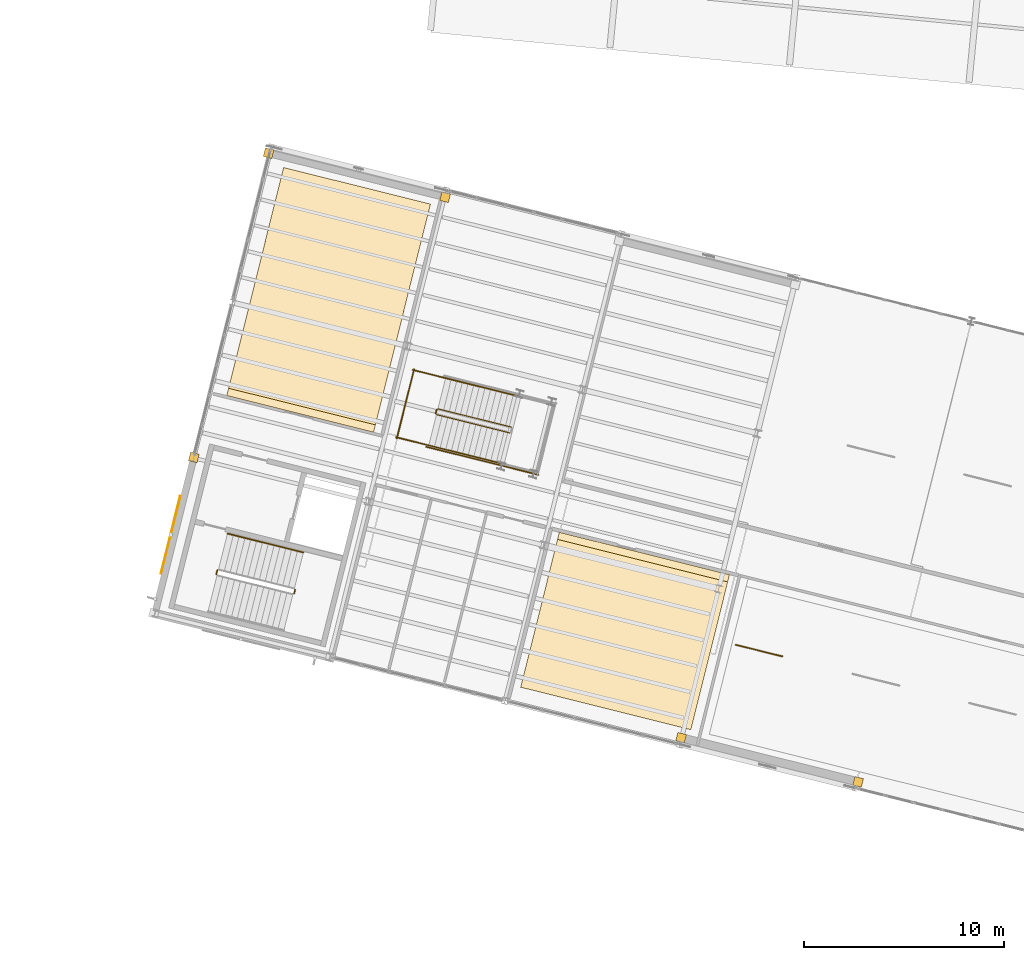
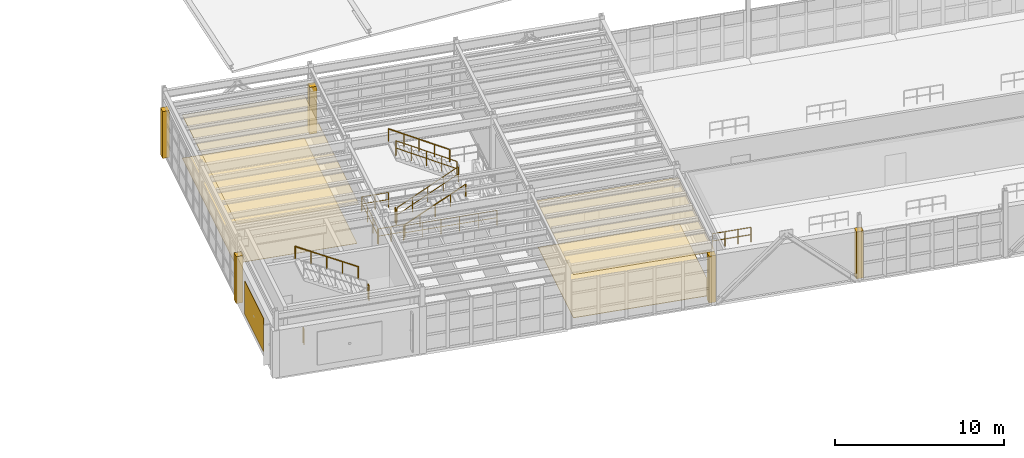
# One storey, part 55 of 59: 13 railings, 10 coverings.
"""IFC4 building model written with IfcOpenShell, lengths in metres."""

from ifc_helpers import new_model, si_unit, direction, frame, origin, origin_2d, place, context, subcontext, project, spatial, polyline, rectangle, circle, outline, extrude, material, layer, layer_set, type_object, element, save


model = new_model("IFC4")

# Units and contexts
model_context = context("Model", 3, precision=1e-05, world=origin(), true_north=direction((0.0, 1.0)))
body_context = subcontext(model_context, "Body", "Model", "MODEL_VIEW")
ifc_project = project(units=[si_unit("LENGTHUNIT", "METRE"), si_unit("AREAUNIT", "SQUARE_METRE"), si_unit("VOLUMEUNIT", "CUBIC_METRE"), si_unit("PLANEANGLEUNIT", "RADIAN"), si_unit("MASSUNIT", "GRAM", prefix="KILO")], contexts=[model_context])

# Site, building, storey
site_placement = place(None, origin())
site = spatial("IfcSite", under=ifc_project, at=site_placement, CompositionType="ELEMENT")
building_placement = place(site_placement, origin())
building = spatial("IfcBuilding", under=site, at=building_placement, Name="Vireo Bluff Cable Station", CompositionType="ELEMENT")
storey_placement = place(building_placement, frame((0.0, 0.0, 14.39990234375)))
storey = spatial("IfcBuildingStorey", under=building, at=storey_placement, Name="L03", CompositionType="ELEMENT", Elevation=14.39990234375)

# Railing
ifc_material_1 = material(Name="Laminated Low-E Insulated Glass", Category="glass")
railing_type_1 = type_object("IfcRailingType", Name="BALUSTRADE-1100", PredefinedType="BALUSTRADE", material=ifc_material_1)
railing_1_placement = place(storey_placement, frame((82.98388671875, 36.44189453125, 0.0)))
element("IfcRailing", 1, at=railing_1_placement, inside=storey, type_object=railing_type_1, Name="Boarding Hall platform queuing balustrade 1", PredefinedType="BALUSTRADE", context=body_context, shape_type="SweptSolid", body=[
    extrude(circle(Radius=0.02392578125, at=origin_2d()), frame((0.0, 0.0, 1.076171875), z_axis=(0.970303839674, -0.241889352212, 0.0), x_axis=(0.241889352212, 0.970303839674, 0.0)), (0.0, 0.0, 1.0), 2.400146484375),
    extrude(circle(Radius=0.02392578125, at=origin_2d()), frame((0.0, 0.0, 0.550048828125), z_axis=(0.970303839674, -0.241889352212, 0.0), x_axis=(0.241889352212, 0.970303839674, 0.0)), (0.0, 0.0, 1.0), 2.400146484375),
    extrude(circle(Radius=0.02099609375, at=origin_2d()), origin(), (0.0, 0.0, 1.0), 1.052001953125),
    extrude(circle(Radius=0.02099609375, at=origin_2d()), frame((0.7763671875, -0.193603515625, 0.0)), (0.0, 0.0, 1.0), 1.052001953125),
    extrude(circle(Radius=0.02099609375, at=origin_2d()), frame((1.552490234375, -0.386962890625, 0.0)), (0.0, 0.0, 1.0), 1.052001953125),
    extrude(circle(Radius=0.02099609375, at=origin_2d()), frame((2.328857421875, -0.58056640625, 0.0)), (0.0, 0.0, 1.0), 1.052001953125),
])

# Coverings
ifc_material_2 = material(Name="Perforated Acoustic Metal Ceiling")
ifc_layer_1 = layer(ifc_material_2, 0.02490234375, Name="Perforated Acoustic Metal Ceiling")
ifc_layer_set_1 = layer_set([ifc_layer_1], Name="Perforated Acoustic Metal Ceiling")
covering_type_1 = type_object("IfcCoveringType", Name="CEILING-ACOUSTIC-25", PredefinedType="CEILING", material=ifc_layer_set_1)
covering_1_placement = place(storey_placement, frame((0.0, 0.0, 3.1201171875)))
element("IfcCovering", 2, at=covering_1_placement, inside=storey, type_object=covering_type_1, Name="V1 L03 Passenger Waiting Lounge acoustic ceiling", PredefinedType="CEILING", context=body_context, shape_type="SweptSolid", body=[
    extrude(outline(polyline([(57.58740234375, 48.875244140625), (64.913330078125, 47.048583984375), (67.7509765625, 58.43017578125), (60.42529296875, 60.256591796875), (57.58740234375, 48.875244140625)])), origin(), (0.0, 0.0, 1.0), 0.02490234375),
])
ifc_layer_2 = layer(ifc_material_2, 0.034912109375, Name="Perforated Acoustic Metal Ceiling")
ifc_layer_set_2 = layer_set([ifc_layer_2], Name="Perforated Acoustic Metal Ceiling")
covering_type_2 = type_object("IfcCoveringType", Name="CEILING-ACOUSTIC-35", PredefinedType="CEILING", material=ifc_layer_set_2)
covering_2_placement = place(storey_placement, frame((0.0, 0.0, 3.1201171875)))
element("IfcCovering", 3, at=covering_2_placement, inside=storey, type_object=covering_type_2, Name="V1 L03 Platform Safety and Control Office acoustic ceiling", PredefinedType="CEILING", context=body_context, shape_type="SweptSolid", body=[
    extrude(outline(polyline([(72.253173828125, 34.324951171875), (80.7431640625, 32.208251953125), (82.670654296875, 39.93896484375), (74.1806640625, 42.055908203125), (72.253173828125, 34.324951171875)])), origin(), (0.0, 0.0, 1.0), 0.034912109375),
])
ifc_material_3 = material(Name="Standing-Seam Titanium-Zinc Cladding")
ifc_layer_3 = layer(ifc_material_3, 0.0400390625, Name="Standing-Seam Titanium-Zinc Cladding")
ifc_layer_set_3 = layer_set([ifc_layer_3], Name="Standing-Seam Titanium-Zinc Cladding")
covering_type_3 = type_object("IfcCoveringType", Name="CLADDING-ZINC-40", PredefinedType="CLADDING", material=ifc_layer_set_3)
covering_3_placement = place(storey_placement, frame((54.788330078125, 41.927001953125, 0.4501953125), z_axis=(0.0, 0.0, 1.0), x_axis=(0.241921816345, 0.970295746037, 0.0)))
element("IfcCovering", 4, at=covering_3_placement, inside=storey, type_object=covering_type_3, Name="V1 L03 ribbed zinc cladding panel 8", PredefinedType="CLADDING", context=body_context, shape_type="SweptSolid", body=[
    extrude(rectangle(XDim=4.0, YDim=0.0400390625, at=origin_2d()), origin(), (0.0, 0.0, 1.0), 2.39990234375),
])
ifc_material_4 = material(Name="Precast concrete f'c 45 MPa", Category="concrete")
ifc_layer_4 = layer(ifc_material_4, 0.0400390625, Name="Precast concrete f'c 45 MPa")
ifc_layer_set_4 = layer_set([ifc_layer_4], Name="Precast concrete f'c 45 MPa")
covering_type_4 = type_object("IfcCoveringType", Name="COL-CLOSURE-WRAP", PredefinedType="CLADDING", material=ifc_layer_set_4)
for number, where, z_axis, x_axis, name in (
    (5, (89.086669921875, 29.602294921875, 0.000244140625), (0.0, 0.0, 1.0), (0.970295726276, -0.2419218956, 0.0), "V1 L03 column pocket closure"),
    (6, (80.256591796875, 31.803955078125, 0.000244140625), (0.0, 0.0, 1.0), (0.970295726276, -0.2419218956, 0.0), "V1 L03 column pocket closure"),
    (7, (55.94140625, 45.78662109375, 0.000244140625), (0.0, 0.0, 1.0), (0.970295726276, -0.2419218956, 0.0), "V1 L03 column pocket closure"),
    (8, (59.6748046875, 60.969482421875, 0.000244140625), (0.0, 0.0, 1.0), (0.970295726276, -0.2419218956, 0.0), "V1 L03 column pocket closure"),
    (9, (68.481201171875, 58.773681640625, 0.000244140625), (0.0, 0.0, 1.0), (0.970295726276, -0.2419218956, 0.0), "V1 L03 column pocket closure"),
):
    element("IfcCovering", number, at=place(storey_placement, frame(where, z_axis=z_axis, x_axis=x_axis)), inside=storey, type_object=covering_type_4, Name=name, PredefinedType="CLADDING", context=body_context, shape_type="SweptSolid", body=[
        extrude(rectangle(XDim=0.43994140625, YDim=0.43994140625, at=origin_2d()), origin(), (0.0, 0.0, 1.0), 3.39990234375),
    ])
ifc_material_5 = material(Name="Polished Terrazzo Flooring")
ifc_layer_5 = layer(ifc_material_5, 0.02001953125, Name="Polished Terrazzo Flooring")
ifc_layer_set_5 = layer_set([ifc_layer_5], Name="Polished Terrazzo Flooring")
covering_type_5 = type_object("IfcCoveringType", Name="FLOORING-TERRAZZO-20", PredefinedType="FLOORING", material=ifc_layer_set_5)
covering_4_placement = place(storey_placement, origin())
element("IfcCovering", 10, at=covering_4_placement, inside=storey, type_object=covering_type_5, Name="V1 L03 Passenger Waiting Lounge terrazzo finish", PredefinedType="FLOORING", context=body_context, shape_type="SweptSolid", body=[
    extrude(outline(polyline([(57.679443359375, 49.243896484375), (65.005126953125, 47.417236328125), (67.7509765625, 58.43017578125), (60.42529296875, 60.256591796875), (57.679443359375, 49.243896484375)])), origin(), (0.0, 0.0, 1.0), 0.02001953125),
])
ifc_layer_6 = layer(ifc_material_5, 0.030029296875, Name="Polished Terrazzo Flooring")
ifc_layer_set_6 = layer_set([ifc_layer_6], Name="Polished Terrazzo Flooring")
covering_type_6 = type_object("IfcCoveringType", Name="FLOORING-TERRAZZO-30", PredefinedType="FLOORING", material=ifc_layer_set_6)
covering_5_placement = place(storey_placement, origin())
element("IfcCovering", 11, at=covering_5_placement, inside=storey, type_object=covering_type_6, Name="V1 L03 Platform Safety and Control Office terrazzo finish", PredefinedType="FLOORING", context=body_context, shape_type="SweptSolid", body=[
    extrude(outline(polyline([(72.253173828125, 34.324951171875), (80.7431640625, 32.208251953125), (82.581787109375, 39.58251953125), (74.091796875, 41.69921875), (72.253173828125, 34.324951171875)])), origin(), (0.0, 0.0, 1.0), 0.030029296875),
])

# Railings
ifc_material_6 = material(Name="Stainless Steel 316", Category="steel")
railing_type_2 = type_object("IfcRailingType", Name="STAIR-GUARD-1100", PredefinedType="GUARDRAIL", material=ifc_material_6)
for number, where, name in (
    (12, (60.947998046875, 38.998779296875, 2.400146484375), "L03 ST-02 stair guard 2"),
    (13, (57.06689453125, 39.966552734375, 0.0), "L03 ST-02 stair guard 4"),
):
    element("IfcRailing", number, at=place(storey_placement, frame(where)), inside=storey, type_object=railing_type_2, Name=name, PredefinedType="GUARDRAIL", context=body_context, shape_type="SweptSolid", body=[
        extrude(circle(Radius=0.02392578125, at=origin_2d()), frame((0.0, 0.0, 1.076171875), z_axis=(0.241673946692, 0.970357513234, 0.0), x_axis=(-0.970357513234, 0.241673946692, 0.0)), (0.0, 0.0, 1.0), 0.199951171875),
        extrude(circle(Radius=0.02392578125, at=origin_2d()), frame((0.0, 0.0, 0.550048828125), z_axis=(0.241673946692, 0.970357513234, 0.0), x_axis=(-0.970357513234, 0.241673946692, 0.0)), (0.0, 0.0, 1.0), 0.199951171875),
        extrude(circle(Radius=0.02099609375, at=origin_2d()), origin(), (0.0, 0.0, 1.0), 1.052001953125),
        extrude(circle(Radius=0.02099609375, at=origin_2d()), frame((0.04833984375, 0.194091796875, 0.0)), (0.0, 0.0, 1.0), 1.052001953125),
    ])
railing_2_placement = place(storey_placement, frame((68.048583984375, 47.92626953125, 0.171630859375)))
element("IfcRailing", 14, at=railing_2_placement, inside=storey, type_object=railing_type_2, Name="L03 ST-10 stair guard 1", PredefinedType="GUARDRAIL", context=body_context, shape_type="SweptSolid", body=[
    extrude(circle(Radius=0.02392578125, at=origin_2d()), frame((0.0, 0.0, 1.076171875), z_axis=(0.835287278934, -0.208264366931, 0.50884291792), x_axis=(0.241926114739, 0.970294674317, 0.0)), (0.0, 0.0, 1.0), 4.379638671875),
    extrude(circle(Radius=0.02392578125, at=origin_2d()), frame((0.0, 0.0, 0.550048828125), z_axis=(0.835287278934, -0.208264366931, 0.50884291792), x_axis=(0.241926114739, 0.970294674317, 0.0)), (0.0, 0.0, 1.0), 4.379638671875),
    extrude(circle(Radius=0.02099609375, at=origin_2d()), origin(), (0.0, 0.0, 1.0), 1.052001953125),
    extrude(circle(Radius=0.02099609375, at=origin_2d()), frame((0.91455078125, -0.22802734375, 0.55712890625)), (0.0, 0.0, 1.0), 1.052001953125),
    extrude(circle(Radius=0.02099609375, at=origin_2d()), frame((1.8291015625, -0.4560546875, 1.1142578125)), (0.0, 0.0, 1.0), 1.052001953125),
    extrude(circle(Radius=0.02099609375, at=origin_2d()), frame((2.74365234375, -0.68408203125, 1.67138671875)), (0.0, 0.0, 1.0), 1.052001953125),
    extrude(circle(Radius=0.02099609375, at=origin_2d()), frame((3.658203125, -0.912109375, 2.228515625)), (0.0, 0.0, 1.0), 1.052001953125),
])
railing_3_placement = place(storey_placement, frame((71.779296875, 47.30517578125, 2.571533203125)))
element("IfcRailing", 15, at=railing_3_placement, inside=storey, type_object=railing_type_2, Name="L03 ST-10 stair guard 6", PredefinedType="GUARDRAIL", context=body_context, shape_type="SweptSolid", body=[
    extrude(circle(Radius=0.02392578125, at=origin_2d()), frame((0.0, 0.0, 1.076171875), z_axis=(-0.835270426229, 0.208274064766, 0.508866612202), x_axis=(-0.241941316319, -0.97029088394, 0.0)), (0.0, 0.0, 1.0), 4.37939453125),
    extrude(circle(Radius=0.02392578125, at=origin_2d()), frame((0.0, 0.0, 0.550048828125), z_axis=(-0.835270426229, 0.208274064766, 0.508866612202), x_axis=(-0.241941316319, -0.97029088394, 0.0)), (0.0, 0.0, 1.0), 4.37939453125),
    extrude(circle(Radius=0.02099609375, at=origin_2d()), origin(), (0.0, 0.0, 1.0), 1.052001953125),
    extrude(circle(Radius=0.02099609375, at=origin_2d()), frame((-0.91455078125, 0.22802734375, 0.55712890625)), (0.0, 0.0, 1.0), 1.052001953125),
    extrude(circle(Radius=0.02099609375, at=origin_2d()), frame((-1.8291015625, 0.4560546875, 1.1142578125)), (0.0, 0.0, 1.0), 1.052001953125),
    extrude(circle(Radius=0.02099609375, at=origin_2d()), frame((-2.743408203125, 0.68408203125, 1.67138671875)), (0.0, 0.0, 1.0), 1.052001953125),
    extrude(circle(Radius=0.02099609375, at=origin_2d()), frame((-3.657958984375, 0.912109375, 2.228515625)), (0.0, 0.0, 1.0), 1.052001953125),
])
railing_4_placement = place(storey_placement, frame((68.01220703125, 47.98681640625, 0.0)))
element("IfcRailing", 16, at=railing_4_placement, inside=storey, type_object=railing_type_2, Name="L03 ST-10 stair guard 7", PredefinedType="GUARDRAIL", context=body_context, shape_type="SweptSolid", body=[
    extrude(circle(Radius=0.02392578125, at=origin_2d()), frame((0.0, 0.0, 1.076171875), z_axis=(0.241673946692, 0.970357513234, 0.0), x_axis=(-0.970357513234, 0.241673946692, 0.0)), (0.0, 0.0, 1.0), 0.199951171875),
    extrude(circle(Radius=0.02392578125, at=origin_2d()), frame((0.0, 0.0, 0.550048828125), z_axis=(0.241673946692, 0.970357513234, 0.0), x_axis=(-0.970357513234, 0.241673946692, 0.0)), (0.0, 0.0, 1.0), 0.199951171875),
    extrude(circle(Radius=0.02099609375, at=origin_2d()), origin(), (0.0, 0.0, 1.0), 1.052001953125),
    extrude(circle(Radius=0.02099609375, at=origin_2d()), frame((0.04833984375, 0.194091796875, 0.0)), (0.0, 0.0, 1.0), 1.052001953125),
])
for number, where, name in (
    (17, (66.036376953125, 46.799560546875, 0.0), "L03 ST-10 stair guard 8"),
    (18, (66.873291015625, 50.15673828125, 0.0), "L03 ST-10 stair guard 9"),
):
    element("IfcRailing", number, at=place(storey_placement, frame(where)), inside=storey, type_object=railing_type_2, Name=name, PredefinedType="GUARDRAIL", context=body_context, shape_type="SweptSolid", body=[
        extrude(circle(Radius=0.02392578125, at=origin_2d()), frame((0.0, 0.0, 1.076171875), z_axis=(0.970287643911, -0.241954309887, 0.0), x_axis=(0.241954309887, 0.970287643911, 0.0)), (0.0, 0.0, 1.0), 1.679931640625),
        extrude(circle(Radius=0.02392578125, at=origin_2d()), frame((0.0, 0.0, 0.550048828125), z_axis=(0.970287643911, -0.241954309887, 0.0), x_axis=(0.241954309887, 0.970287643911, 0.0)), (0.0, 0.0, 1.0), 1.679931640625),
        extrude(circle(Radius=0.02099609375, at=origin_2d()), origin(), (0.0, 0.0, 1.0), 1.052001953125),
        extrude(circle(Radius=0.02099609375, at=origin_2d()), frame((0.81494140625, -0.203125, 0.0)), (0.0, 0.0, 1.0), 1.052001953125),
        extrude(circle(Radius=0.02099609375, at=origin_2d()), frame((1.630126953125, -0.406494140625, 0.0)), (0.0, 0.0, 1.0), 1.052001953125),
    ])
railing_5_placement = place(storey_placement, frame((66.07275390625, 46.739013671875, 0.0)))
element("IfcRailing", 19, at=railing_5_placement, inside=storey, type_object=railing_type_2, Name="L03 ST-10 stair guard 10", PredefinedType="GUARDRAIL", context=body_context, shape_type="SweptSolid", body=[
    extrude(circle(Radius=0.02392578125, at=origin_2d()), frame((0.0, 0.0, 1.076171875), z_axis=(0.241954658005, 0.970287557103, 0.0), x_axis=(-0.970287557103, 0.241954658005, 0.0)), (0.0, 0.0, 1.0), 3.559814453125),
    extrude(circle(Radius=0.02392578125, at=origin_2d()), frame((0.0, 0.0, 0.550048828125), z_axis=(0.241954658005, 0.970287557103, 0.0), x_axis=(-0.970287557103, 0.241954658005, 0.0)), (0.0, 0.0, 1.0), 3.559814453125),
    extrude(circle(Radius=0.02099609375, at=origin_2d()), origin(), (0.0, 0.0, 1.0), 1.052001953125),
    extrude(circle(Radius=0.02099609375, at=origin_2d()), frame((0.287109375, 1.1513671875, 0.0)), (0.0, 0.0, 1.0), 1.052001953125),
    extrude(circle(Radius=0.02099609375, at=origin_2d()), frame((0.57421875, 2.302734375, 0.0)), (0.0, 0.0, 1.0), 1.052001953125),
    extrude(circle(Radius=0.02099609375, at=origin_2d()), frame((0.861328125, 3.4541015625, 0.0)), (0.0, 0.0, 1.0), 1.052001953125),
])
railing_6_placement = place(storey_placement, frame((67.545166015625, 46.3203125, 0.0)))
element("IfcRailing", 20, at=railing_6_placement, inside=storey, type_object=railing_type_2, Name="L03 ST-10 stair guard 11", PredefinedType="GUARDRAIL", context=body_context, shape_type="SweptSolid", body=[
    extrude(circle(Radius=0.02392578125, at=origin_2d()), frame((0.0, 0.0, 1.076171875), z_axis=(0.970291651619, -0.24193823757, 0.0), x_axis=(0.24193823757, 0.970291651619, 0.0)), (0.0, 0.0, 1.0), 5.77001953125),
    extrude(circle(Radius=0.02392578125, at=origin_2d()), frame((0.0, 0.0, 0.550048828125), z_axis=(0.970291651619, -0.24193823757, 0.0), x_axis=(0.24193823757, 0.970291651619, 0.0)), (0.0, 0.0, 1.0), 5.77001953125),
    extrude(circle(Radius=0.02099609375, at=origin_2d()), origin(), (0.0, 0.0, 1.0), 1.052001953125),
    extrude(circle(Radius=0.02099609375, at=origin_2d()), frame((1.11962890625, -0.279296875, 0.0)), (0.0, 0.0, 1.0), 1.052001953125),
    extrude(circle(Radius=0.02099609375, at=origin_2d()), frame((2.239501953125, -0.558349609375, 0.0)), (0.0, 0.0, 1.0), 1.052001953125),
    extrude(circle(Radius=0.02099609375, at=origin_2d()), frame((3.359130859375, -0.837646484375, 0.0)), (0.0, 0.0, 1.0), 1.052001953125),
    extrude(circle(Radius=0.02099609375, at=origin_2d()), frame((4.47900390625, -1.11669921875, 0.0)), (0.0, 0.0, 1.0), 1.052001953125),
    extrude(circle(Radius=0.02099609375, at=origin_2d()), frame((5.5986328125, -1.39599609375, 0.0)), (0.0, 0.0, 1.0), 1.052001953125),
])
railing_type_3 = type_object("IfcRailingType", Name="STAIR-HANDRAIL-900", PredefinedType="HANDRAIL", material=ifc_material_6)
railing_7_placement = place(storey_placement, frame((61.407470703125, 41.048583984375, 2.571533203125)))
element("IfcRailing", 21, at=railing_7_placement, inside=storey, type_object=railing_type_3, Name="L03 ST-02 stair handrail 2", PredefinedType="HANDRAIL", context=body_context, shape_type="SweptSolid", body=[
    extrude(circle(Radius=0.02392578125, at=origin_2d()), frame((0.0, 0.0, 0.8759765625), z_axis=(-0.842464863979, 0.210018337704, 0.496130276026), x_axis=(-0.241887473922, -0.970304307916, 0.0)), (0.0, 0.0, 1.0), 4.49169921875),
    extrude(circle(Radius=0.02099609375, at=origin_2d()), origin(), (0.0, 0.0, 1.0), 0.851806640625),
    extrude(circle(Radius=0.02099609375, at=origin_2d()), frame((-0.946044921875, 0.23583984375, 0.55712890625)), (0.0, 0.0, 1.0), 0.851806640625),
    extrude(circle(Radius=0.02099609375, at=origin_2d()), frame((-1.89208984375, 0.4716796875, 1.1142578125)), (0.0, 0.0, 1.0), 0.851806640625),
    extrude(circle(Radius=0.02099609375, at=origin_2d()), frame((-2.838134765625, 0.70751953125, 1.67138671875)), (0.0, 0.0, 1.0), 0.851806640625),
    extrude(circle(Radius=0.02099609375, at=origin_2d()), frame((-3.7841796875, 0.943359375, 2.228515625)), (0.0, 0.0, 1.0), 0.851806640625),
])
railing_8_placement = place(storey_placement, frame((67.66650390625, 46.39306640625, 0.171630859375)))
element("IfcRailing", 22, at=railing_8_placement, inside=storey, type_object=railing_type_3, Name="L03 ST-10 stair handrail 1", PredefinedType="HANDRAIL", context=body_context, shape_type="SweptSolid", body=[
    extrude(circle(Radius=0.02392578125, at=origin_2d()), frame((0.0, 0.0, 0.8759765625), z_axis=(0.835270426229, -0.208274064766, 0.508866612202), x_axis=(0.241941316319, 0.97029088394, 0.0)), (0.0, 0.0, 1.0), 4.37939453125),
    extrude(circle(Radius=0.02099609375, at=origin_2d()), origin(), (0.0, 0.0, 1.0), 0.851806640625),
    extrude(circle(Radius=0.02099609375, at=origin_2d()), frame((0.91455078125, -0.22802734375, 0.55712890625)), (0.0, 0.0, 1.0), 0.851806640625),
    extrude(circle(Radius=0.02099609375, at=origin_2d()), frame((1.8291015625, -0.4560546875, 1.1142578125)), (0.0, 0.0, 1.0), 0.851806640625),
    extrude(circle(Radius=0.02099609375, at=origin_2d()), frame((2.743408203125, -0.68408203125, 1.67138671875)), (0.0, 0.0, 1.0), 0.851806640625),
    extrude(circle(Radius=0.02099609375, at=origin_2d()), frame((3.657958984375, -0.912109375, 2.228515625)), (0.0, 0.0, 1.0), 0.851806640625),
])
railing_9_placement = place(storey_placement, frame((72.161376953125, 48.83837890625, 2.571533203125)))
element("IfcRailing", 23, at=railing_9_placement, inside=storey, type_object=railing_type_3, Name="L03 ST-10 stair handrail 2", PredefinedType="HANDRAIL", context=body_context, shape_type="SweptSolid", body=[
    extrude(circle(Radius=0.02392578125, at=origin_2d()), frame((0.0, 0.0, 0.8759765625), z_axis=(-0.835280123288, 0.208220734198, 0.508872519881), x_axis=(-0.241880346166, -0.970306084768, 0.0)), (0.0, 0.0, 1.0), 4.37939453125),
    extrude(circle(Radius=0.02099609375, at=origin_2d()), origin(), (0.0, 0.0, 1.0), 0.851806640625),
    extrude(circle(Radius=0.02099609375, at=origin_2d()), frame((-0.91455078125, 0.22802734375, 0.55712890625)), (0.0, 0.0, 1.0), 0.851806640625),
    extrude(circle(Radius=0.02099609375, at=origin_2d()), frame((-1.8291015625, 0.4560546875, 1.1142578125)), (0.0, 0.0, 1.0), 0.851806640625),
    extrude(circle(Radius=0.02099609375, at=origin_2d()), frame((-2.743408203125, 0.683837890625, 1.67138671875)), (0.0, 0.0, 1.0), 0.851806640625),
    extrude(circle(Radius=0.02099609375, at=origin_2d()), frame((-3.657958984375, 0.911865234375, 2.228515625)), (0.0, 0.0, 1.0), 0.851806640625),
])

save(model, "model.ifc")
